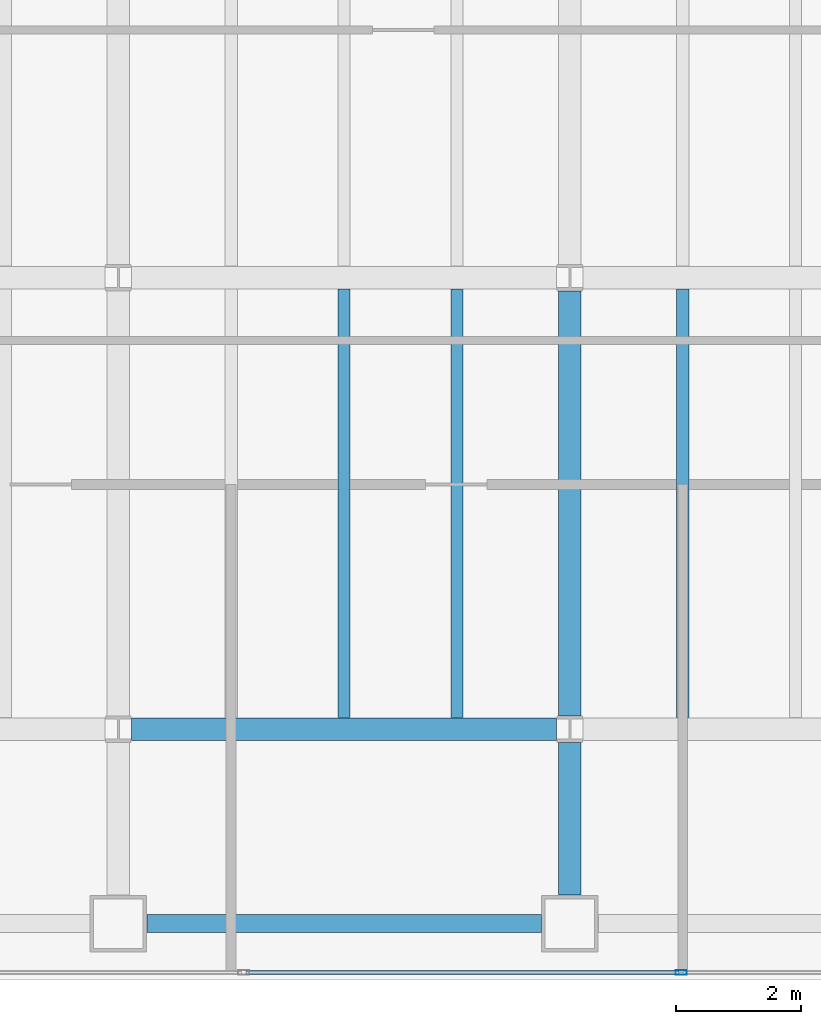
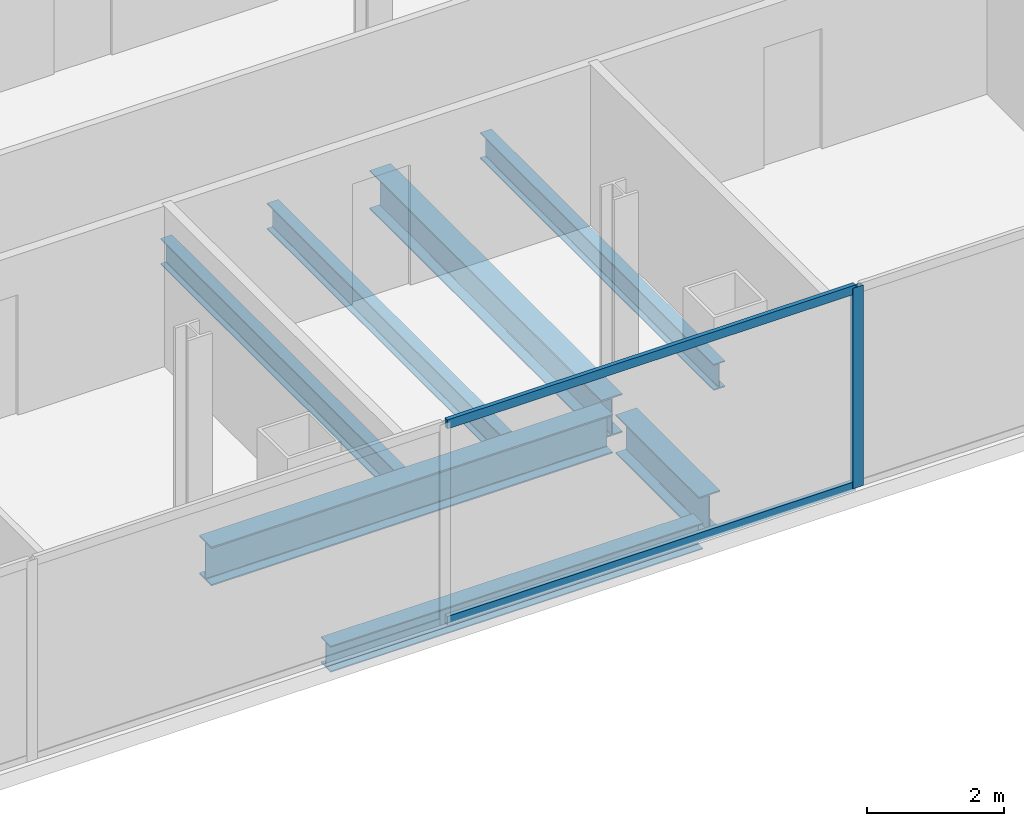
# One storey, part 5 of 23: 7 beams, 3 members, 1 element without a shape of its own.
"""IFC4 building model written with IfcOpenShell, lengths in metres."""

from ifc_helpers import new_model, si_unit, direction, frame, origin, origin_2d, place, context, subcontext, project, spatial, hollow_rectangle, i_section, extrude, material, material_profile, profile_set, type_object, element, aggregate, save


model = new_model("IFC4")

# Units and contexts
model_context = context("Model", 3, precision=1e-05, world=origin(), true_north=direction((0.0, 1.0)))
body_context = subcontext(model_context, "Body", "Model", "MODEL_VIEW")
ifc_project = project(units=[si_unit("LENGTHUNIT", "METRE"), si_unit("AREAUNIT", "SQUARE_METRE"), si_unit("VOLUMEUNIT", "CUBIC_METRE"), si_unit("PLANEANGLEUNIT", "RADIAN"), si_unit("MASSUNIT", "GRAM", prefix="KILO")], contexts=[model_context])

# Site, building, storey
site_placement = place(None, origin())
site = spatial("IfcSite", under=ifc_project, at=site_placement, CompositionType="ELEMENT")
building_placement = place(site_placement, origin())
building = spatial("IfcBuilding", under=site, at=building_placement, Name="Cobrela Telecom Tower", CompositionType="ELEMENT")
storey_placement = place(building_placement, frame((0.0, 0.0, 129.14990234375)))
storey = spatial("IfcBuildingStorey", under=building, at=storey_placement, Name="L32", CompositionType="ELEMENT", Elevation=129.14990234375)

# Beams
ifc_material_1 = material(Name="Steel ASTM A992 Grade 50", Category="steel")
ifc_material_profile_1 = material_profile(ifc_material_1, i_section(OverallWidth=0.35595703125, OverallDepth=0.696044921875, WebThickness=0.015380859375, FlangeThickness=0.024658203125, FilletRadius=0.01806640625, at=origin_2d()), Name="W27X146")
ifc_profile_set_1 = profile_set([ifc_material_profile_1], Name="Steel ASTM A992 Grade 50")
beam_type_1 = type_object("IfcBeamType", Name="BM-GIRD-05", PredefinedType="USERDEFINED", material=ifc_profile_set_1)
beam_1_placement = place(storey_placement, frame((21.8095703125, 7.199951171875, -0.617919921875), z_axis=(1.0, 0.0, 0.0), x_axis=(0.0, 1.0, 0.0)))
element("IfcBeam", 1, at=beam_1_placement, inside=storey, type_object=beam_type_1, Name="L32 Primary Girder X09", ObjectType="GIRDER", PredefinedType="USERDEFINED", context=body_context, shape_type="SweptSolid", body=[
    extrude(i_section(OverallWidth=0.35595703125, OverallDepth=0.696044921875, WebThickness=0.015380859375, FlangeThickness=0.024658203125, FilletRadius=0.01806640625, at=origin_2d()), origin(), (0.0, 0.0, 1.0), 6.781005859375),
])
beam_2_placement = place(storey_placement, frame((28.800048828125, 4.554931640625, -0.617919921875), z_axis=(0.0, 1.0, 0.0), x_axis=(-1.0, 0.0, 0.0)))
element("IfcBeam", 2, at=beam_2_placement, inside=storey, type_object=beam_type_1, Name="L32 Primary Girder Y46", ObjectType="GIRDER", PredefinedType="USERDEFINED", context=body_context, shape_type="SweptSolid", body=[
    extrude(i_section(OverallWidth=0.35595703125, OverallDepth=0.696044921875, WebThickness=0.015380859375, FlangeThickness=0.024658203125, FilletRadius=0.01806640625, at=origin_2d()), origin(), (0.0, 0.0, 1.0), 2.435546875),
])
beam_3_placement = place(storey_placement, frame((28.800048828125, 7.409423828125, -0.617919921875), z_axis=(0.0, 1.0, 0.0), x_axis=(-1.0, 0.0, 0.0)))
element("IfcBeam", 3, at=beam_3_placement, inside=storey, type_object=beam_type_1, Name="L32 Primary Girder Y47", ObjectType="GIRDER", PredefinedType="USERDEFINED", context=body_context, shape_type="SweptSolid", body=[
    extrude(i_section(OverallWidth=0.35595703125, OverallDepth=0.696044921875, WebThickness=0.015380859375, FlangeThickness=0.024658203125, FilletRadius=0.01806640625, at=origin_2d()), origin(), (0.0, 0.0, 1.0), 6.781005859375),
])
ifc_material_profile_2 = material_profile(ifc_material_1, i_section(OverallWidth=0.193115234375, OverallDepth=0.467041015625, WebThickness=0.011474609375, FlangeThickness=0.01904296875, FilletRadius=0.012939453125, at=origin_2d()), Name="W18X65")
ifc_profile_set_2 = profile_set([ifc_material_profile_2], Name="Steel ASTM A992 Grade 50")
beam_type_2 = type_object("IfcBeamType", Name="BM-JOIST-03", PredefinedType="JOIST", material=ifc_profile_set_2)
for number, where, z_axis, x_axis, name in (
    (4, (25.199951171875, 7.383056640625, -0.50341796875), (0.0, 1.0, 0.0), (-1.0, 0.0, 0.0), "L32 Secondary Composite Floor Beam J23"),
    (5, (27.0, 7.383056640625, -0.50341796875), (0.0, 1.0, 0.0), (-1.0, 0.0, 0.0), "L32 Secondary Composite Floor Beam J25"),
    (6, (30.60009765625, 7.383056640625, -0.50341796875), (0.0, 1.0, 0.0), (-1.0, 0.0, 0.0), "L32 Secondary Composite Floor Beam J27"),
):
    element("IfcBeam", number, at=place(storey_placement, frame(where, z_axis=z_axis, x_axis=x_axis)), inside=storey, type_object=beam_type_2, Name=name, PredefinedType="JOIST", context=body_context, shape_type="SweptSolid", body=[
        extrude(i_section(OverallWidth=0.193115234375, OverallDepth=0.467041015625, WebThickness=0.011474609375, FlangeThickness=0.01904296875, FilletRadius=0.012939453125, at=origin_2d()), origin(), (0.0, 0.0, 1.0), 6.833984375),
    ])
ifc_material_profile_3 = material_profile(ifc_material_1, i_section(OverallWidth=0.281982421875, OverallDepth=0.467041015625, WebThickness=0.01220703125, FlangeThickness=0.01953125, FilletRadius=0.012939453125, at=origin_2d()), Name="W18X86")
ifc_profile_set_3 = profile_set([ifc_material_profile_3], Name="Steel ASTM A992 Grade 50")
beam_type_3 = type_object("IfcBeamType", Name="BM-SPAND-04", PredefinedType="SPANDREL", material=ifc_profile_set_3)
beam_4_placement = place(storey_placement, frame((22.054931640625, 4.10009765625, -0.50341796875), z_axis=(1.0, 0.0, 0.0), x_axis=(0.0, 1.0, 0.0)))
element("IfcBeam", 7, at=beam_4_placement, inside=storey, type_object=beam_type_3, Name="L32 Perimeter Spandrel X03", PredefinedType="SPANDREL", context=body_context, shape_type="SweptSolid", body=[
    extrude(i_section(OverallWidth=0.281982421875, OverallDepth=0.467041015625, WebThickness=0.01220703125, FlangeThickness=0.01953125, FilletRadius=0.012939453125, at=origin_2d()), origin(), (0.0, 0.0, 1.0), 6.2900390625),
])

# Curtain wall, members
ifc_material_2 = material(Name="Anodized Bronze Aluminium 6063-T6", Category="aluminium")
curtain_wall_type = type_object("IfcCurtainWallType", Name="CW-SYS-TEL", PredefinedType="USERDEFINED", material=ifc_material_2)
curtain_wall_placement = place(storey_placement, origin())
curtain_wall = element("IfcCurtainWall", 8, at=curtain_wall_placement, inside=storey, type_object=curtain_wall_type, Name="L32 Unitised Bronze Curtain Wall 17", ObjectType="UNITISED CURTAIN WALL", PredefinedType="USERDEFINED")
ifc_material_profile_4 = material_profile(ifc_material_2, hollow_rectangle(XDim=0.074951171875, YDim=0.179931640625, WallThickness=0.00390625, at=origin_2d()), Name="ALU 75x180x4")
ifc_profile_set_4 = profile_set([ifc_material_profile_4], Name="Anodized Bronze Aluminium 6063-T6")
member_type_1 = type_object("IfcMemberType", Name="CW-SYS-TEL-MUL", PredefinedType="MULLION", material=ifc_profile_set_4)
member_1_placement = place(storey_placement, frame((30.57666015625, 3.320068359375, 0.0), z_axis=(0.0, 0.0, 1.0), x_axis=(0.0, -1.0, 0.0)))
member_1 = element("IfcMember", 9, at=member_1_placement, type_object=member_type_1, Name="CW-TEL mullion 3", PredefinedType="MULLION", context=body_context, shape_type="SweptSolid", body=[
    extrude(hollow_rectangle(XDim=0.074951171875, YDim=0.179931640625, WallThickness=0.00390625, at=origin_2d()), origin(), (0.0, 0.0, 1.0), 3.580078125),
])
ifc_material_profile_5 = material_profile(ifc_material_2, hollow_rectangle(XDim=0.070068359375, YDim=0.159912109375, WallThickness=0.00390625, at=origin_2d()), Name="ALU 70x160x4")
ifc_profile_set_5 = profile_set([ifc_material_profile_5], Name="Anodized Bronze Aluminium 6063-T6")
member_type_2 = type_object("IfcMemberType", Name="CW-SYS-TEL-TRN", PredefinedType="USERDEFINED", material=ifc_profile_set_5)
member_2_placement = place(storey_placement, frame((30.5390625, 3.320068359375, 0.03515625), z_axis=(-1.0, 0.0, 0.0), x_axis=(0.0, -1.0, 0.0)))
member_2 = element("IfcMember", 10, at=member_2_placement, type_object=member_type_2, Name="CW-TEL transom 3.1", ObjectType="TRANSOM", PredefinedType="USERDEFINED", context=body_context, shape_type="SweptSolid", body=[
    extrude(hollow_rectangle(XDim=0.070068359375, YDim=0.159912109375, WallThickness=0.00390625, at=origin_2d()), origin(), (0.0, 0.0, 1.0), 6.901611328125),
])
member_3_placement = place(storey_placement, frame((30.5390625, 3.320068359375, 3.545166015625), z_axis=(-1.0, 0.0, 0.0), x_axis=(0.0, -1.0, 0.0)))
member_3 = element("IfcMember", 11, at=member_3_placement, type_object=member_type_2, Name="CW-TEL transom 3.2", ObjectType="TRANSOM", PredefinedType="USERDEFINED", context=body_context, shape_type="SweptSolid", body=[
    extrude(hollow_rectangle(XDim=0.070068359375, YDim=0.159912109375, WallThickness=0.00390625, at=origin_2d()), origin(), (0.0, 0.0, 1.0), 6.901611328125),
])
aggregate(curtain_wall, [member_1, member_2, member_3])

save(model, "model.ifc")
